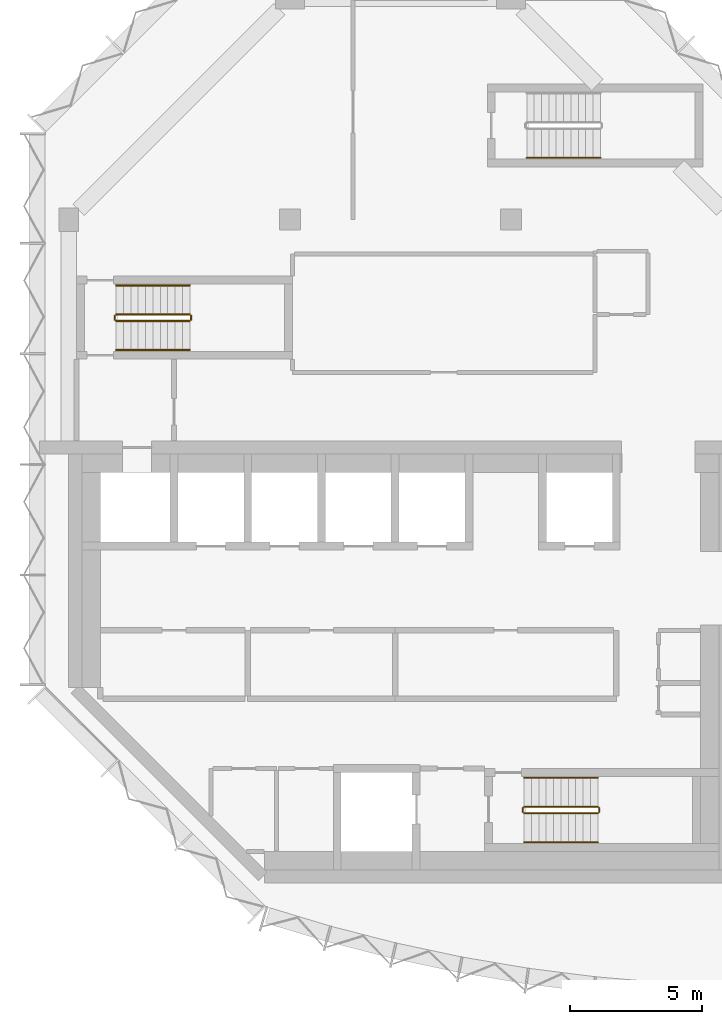
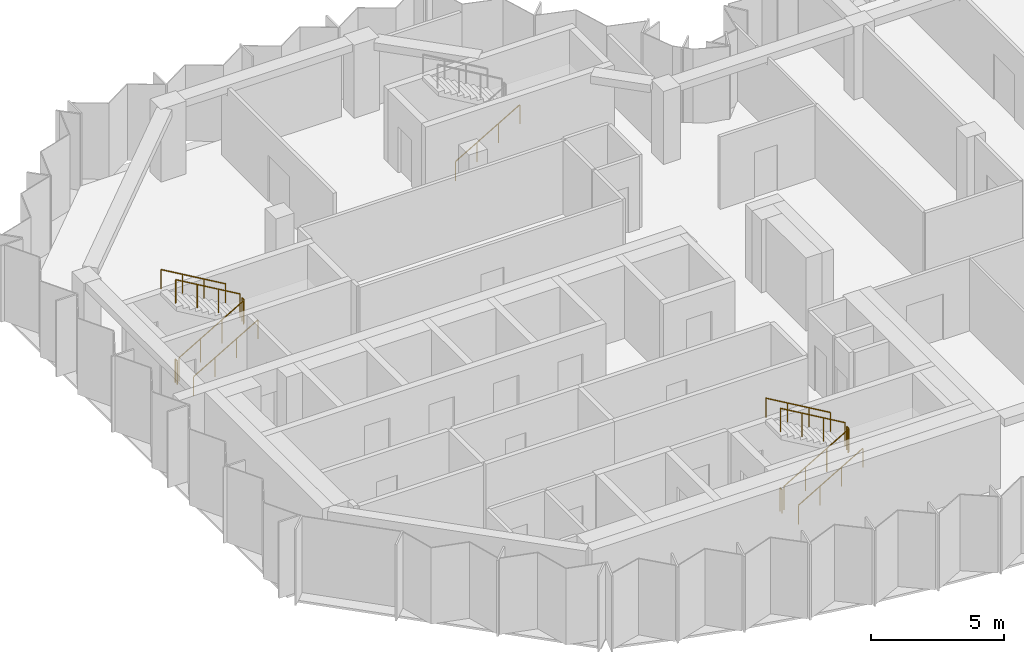
# One storey, part 8 of 9: 13 railings.
"""IFC4 building model written with IfcOpenShell, lengths in metres."""

from ifc_helpers import new_model, si_unit, direction, frame, origin, origin_2d, place, context, subcontext, project, spatial, circle, extrude, material, type_object, element, save


model = new_model("IFC4")

# Units and contexts
model_context = context("Model", 3, precision=1e-05, world=origin(), true_north=direction((0.0, 1.0)))
body_context = subcontext(model_context, "Body", "Model", "MODEL_VIEW")
ifc_project = project(units=[si_unit("LENGTHUNIT", "METRE"), si_unit("AREAUNIT", "SQUARE_METRE"), si_unit("VOLUMEUNIT", "CUBIC_METRE"), si_unit("PLANEANGLEUNIT", "RADIAN"), si_unit("MASSUNIT", "GRAM", prefix="KILO")], contexts=[model_context])

# Site, building, storey
site_placement = place(None, origin())
site = spatial("IfcSite", under=ifc_project, at=site_placement, CompositionType="ELEMENT")
building_placement = place(site_placement, origin())
building = spatial("IfcBuilding", under=site, at=building_placement, Name="Brevane Broadcast Tower", CompositionType="ELEMENT")
storey_placement = place(building_placement, frame((0.0, 0.0, 215.699951171875)))
storey = spatial("IfcBuildingStorey", under=building, at=storey_placement, Name="L54", CompositionType="ELEMENT", Elevation=215.699951171875)

# Railings
ifc_material = material(Name="Steel S355", Category="steel")
railing_type_1 = type_object("IfcRailingType", Name="Exit stair guard", PredefinedType="GUARDRAIL", material=ifc_material)
railing_1_placement = place(storey_placement, frame((1.800048828125, 21.35009765625, 0.16357421875)))
element("IfcRailing", 1, at=railing_1_placement, inside=storey, type_object=railing_type_1, Name="L54 ST-1 stair guard 1", PredefinedType="GUARDRAIL", context=body_context, shape_type="SweptSolid", body=[
    extrude(circle(Radius=0.02392578125, at=origin_2d()), frame((0.0, 0.0, 1.076171875), z_axis=(0.863360870873, 0.0, 0.504586966384), x_axis=(0.0, 1.0, 0.0)), (0.0, 0.0, 1.0), 3.2431640625),
    extrude(circle(Radius=0.02099609375, at=origin_2d()), origin(), (0.0, 0.0, 1.0), 1.052001953125),
    extrude(circle(Radius=0.02099609375, at=origin_2d()), frame((0.933349609375, 0.0, 0.54541015625)), (0.0, 0.0, 1.0), 1.052001953125),
    extrude(circle(Radius=0.02099609375, at=origin_2d()), frame((1.86669921875, 0.0, 1.091064453125)), (0.0, 0.0, 1.0), 1.052001953125),
    extrude(circle(Radius=0.02099609375, at=origin_2d()), frame((2.800048828125, 0.0, 1.636474609375)), (0.0, 0.0, 1.0), 1.052001953125),
])
railing_2_placement = place(storey_placement, frame((4.64990234375, 21.39990234375, 1.800048828125)))
element("IfcRailing", 2, at=railing_2_placement, inside=storey, type_object=railing_type_1, Name="L54 ST-1 stair guard 2", PredefinedType="GUARDRAIL", context=body_context, shape_type="SweptSolid", body=[
    extrude(circle(Radius=0.02392578125, at=origin_2d()), frame((0.0, 0.0, 1.076171875), z_axis=(0.0, 1.0, 0.0), x_axis=(-1.0, 0.0, 0.0)), (0.0, 0.0, 1.0), 0.150146484375),
    extrude(circle(Radius=0.02099609375, at=origin_2d()), origin(), (0.0, 0.0, 1.0), 1.052001953125),
    extrude(circle(Radius=0.02099609375, at=origin_2d()), frame((0.0, 0.150146484375, 0.0)), (0.0, 0.0, 1.0), 1.052001953125),
])
railing_3_placement = place(storey_placement, frame((4.60009765625, 21.60009765625, 1.963623046875)))
element("IfcRailing", 3, at=railing_3_placement, inside=storey, type_object=railing_type_1, Name="L54 ST-1 stair guard 3", PredefinedType="GUARDRAIL", context=body_context, shape_type="SweptSolid", body=[
    extrude(circle(Radius=0.02392578125, at=origin_2d()), frame((0.0, 0.0, 1.076171875), z_axis=(-0.863360870873, 0.0, 0.504586966384), x_axis=(0.0, -1.0, 0.0)), (0.0, 0.0, 1.0), 3.2431640625),
    extrude(circle(Radius=0.02099609375, at=origin_2d()), origin(), (0.0, 0.0, 1.0), 1.052001953125),
    extrude(circle(Radius=0.02099609375, at=origin_2d()), frame((-0.933349609375, 0.0, 0.54541015625)), (0.0, 0.0, 1.0), 1.052001953125),
    extrude(circle(Radius=0.02099609375, at=origin_2d()), frame((-1.86669921875, 0.0, 1.091064453125)), (0.0, 0.0, 1.0), 1.052001953125),
    extrude(circle(Radius=0.02099609375, at=origin_2d()), frame((-2.800048828125, 0.0, 1.636474609375)), (0.0, 0.0, 1.0), 1.052001953125),
])
railing_4_placement = place(storey_placement, frame((1.75, 21.39990234375, 0.0)))
element("IfcRailing", 4, at=railing_4_placement, inside=storey, type_object=railing_type_1, Name="L54 ST-1 stair guard 4", PredefinedType="GUARDRAIL", context=body_context, shape_type="SweptSolid", body=[
    extrude(circle(Radius=0.02392578125, at=origin_2d()), frame((0.0, 0.0, 1.076171875), z_axis=(0.0, 1.0, 0.0), x_axis=(-1.0, 0.0, 0.0)), (0.0, 0.0, 1.0), 0.150146484375),
    extrude(circle(Radius=0.02099609375, at=origin_2d()), origin(), (0.0, 0.0, 1.0), 1.052001953125),
    extrude(circle(Radius=0.02099609375, at=origin_2d()), frame((0.0, 0.150146484375, 0.0)), (0.0, 0.0, 1.0), 1.052001953125),
])
railing_5_placement = place(storey_placement, frame((17.300048828125, 2.64990234375, 0.16357421875)))
element("IfcRailing", 5, at=railing_5_placement, inside=storey, type_object=railing_type_1, Name="L54 ST-2 stair guard 1", PredefinedType="GUARDRAIL", context=body_context, shape_type="SweptSolid", body=[
    extrude(circle(Radius=0.02392578125, at=origin_2d()), frame((0.0, 0.0, 1.076171875), z_axis=(0.863360870873, 0.0, 0.504586966384), x_axis=(0.0, 1.0, 0.0)), (0.0, 0.0, 1.0), 3.2431640625),
    extrude(circle(Radius=0.02099609375, at=origin_2d()), origin(), (0.0, 0.0, 1.0), 1.052001953125),
    extrude(circle(Radius=0.02099609375, at=origin_2d()), frame((0.933349609375, 0.0, 0.54541015625)), (0.0, 0.0, 1.0), 1.052001953125),
    extrude(circle(Radius=0.02099609375, at=origin_2d()), frame((1.86669921875, 0.0, 1.091064453125)), (0.0, 0.0, 1.0), 1.052001953125),
    extrude(circle(Radius=0.02099609375, at=origin_2d()), frame((2.800048828125, 0.0, 1.636474609375)), (0.0, 0.0, 1.0), 1.052001953125),
])
railing_6_placement = place(storey_placement, frame((20.14990234375, 2.699951171875, 1.800048828125)))
element("IfcRailing", 6, at=railing_6_placement, inside=storey, type_object=railing_type_1, Name="L54 ST-2 stair guard 2", PredefinedType="GUARDRAIL", context=body_context, shape_type="SweptSolid", body=[
    extrude(circle(Radius=0.02392578125, at=origin_2d()), frame((0.0, 0.0, 1.076171875), z_axis=(0.0, 1.0, 0.0), x_axis=(-1.0, 0.0, 0.0)), (0.0, 0.0, 1.0), 0.150146484375),
    extrude(circle(Radius=0.02099609375, at=origin_2d()), origin(), (0.0, 0.0, 1.0), 1.052001953125),
    extrude(circle(Radius=0.02099609375, at=origin_2d()), frame((0.0, 0.150146484375, 0.0)), (0.0, 0.0, 1.0), 1.052001953125),
])
railing_7_placement = place(storey_placement, frame((20.10009765625, 2.89990234375, 1.963623046875)))
element("IfcRailing", 7, at=railing_7_placement, inside=storey, type_object=railing_type_1, Name="L54 ST-2 stair guard 3", PredefinedType="GUARDRAIL", context=body_context, shape_type="SweptSolid", body=[
    extrude(circle(Radius=0.02392578125, at=origin_2d()), frame((0.0, 0.0, 1.076171875), z_axis=(-0.863360870873, 0.0, 0.504586966384), x_axis=(0.0, -1.0, 0.0)), (0.0, 0.0, 1.0), 3.2431640625),
    extrude(circle(Radius=0.02099609375, at=origin_2d()), origin(), (0.0, 0.0, 1.0), 1.052001953125),
    extrude(circle(Radius=0.02099609375, at=origin_2d()), frame((-0.933349609375, 0.0, 0.54541015625)), (0.0, 0.0, 1.0), 1.052001953125),
    extrude(circle(Radius=0.02099609375, at=origin_2d()), frame((-1.86669921875, 0.0, 1.091064453125)), (0.0, 0.0, 1.0), 1.052001953125),
    extrude(circle(Radius=0.02099609375, at=origin_2d()), frame((-2.800048828125, 0.0, 1.636474609375)), (0.0, 0.0, 1.0), 1.052001953125),
])
railing_8_placement = place(storey_placement, frame((17.25, 2.699951171875, 0.0)))
element("IfcRailing", 8, at=railing_8_placement, inside=storey, type_object=railing_type_1, Name="L54 ST-2 stair guard 4", PredefinedType="GUARDRAIL", context=body_context, shape_type="SweptSolid", body=[
    extrude(circle(Radius=0.02392578125, at=origin_2d()), frame((0.0, 0.0, 1.076171875), z_axis=(0.0, 1.0, 0.0), x_axis=(-1.0, 0.0, 0.0)), (0.0, 0.0, 1.0), 0.150146484375),
    extrude(circle(Radius=0.02099609375, at=origin_2d()), origin(), (0.0, 0.0, 1.0), 1.052001953125),
    extrude(circle(Radius=0.02099609375, at=origin_2d()), frame((0.0, 0.150146484375, 0.0)), (0.0, 0.0, 1.0), 1.052001953125),
])
railing_type_2 = type_object("IfcRailingType", Name="Exit stair handrail", PredefinedType="HANDRAIL", material=ifc_material)
railing_9_placement = place(storey_placement, frame((1.800048828125, 20.25, 0.16357421875)))
element("IfcRailing", 9, at=railing_9_placement, inside=storey, type_object=railing_type_2, Name="L54 ST-1 stair handrail 1", PredefinedType="HANDRAIL", context=body_context, shape_type="SweptSolid", body=[
    extrude(circle(Radius=0.02392578125, at=origin_2d()), frame((0.0, 0.0, 0.8759765625), z_axis=(0.863360870873, 0.0, 0.504586966384), x_axis=(0.0, 1.0, 0.0)), (0.0, 0.0, 1.0), 3.2431640625),
    extrude(circle(Radius=0.02099609375, at=origin_2d()), origin(), (0.0, 0.0, 1.0), 0.851806640625),
    extrude(circle(Radius=0.02099609375, at=origin_2d()), frame((0.933349609375, 0.0, 0.54541015625)), (0.0, 0.0, 1.0), 0.851806640625),
    extrude(circle(Radius=0.02099609375, at=origin_2d()), frame((1.86669921875, 0.0, 1.091064453125)), (0.0, 0.0, 1.0), 0.851806640625),
    extrude(circle(Radius=0.02099609375, at=origin_2d()), frame((2.800048828125, 0.0, 1.636474609375)), (0.0, 0.0, 1.0), 0.851806640625),
])
railing_10_placement = place(storey_placement, frame((4.60009765625, 22.699951171875, 1.963623046875)))
element("IfcRailing", 10, at=railing_10_placement, inside=storey, type_object=railing_type_2, Name="L54 ST-1 stair handrail 2", PredefinedType="HANDRAIL", context=body_context, shape_type="SweptSolid", body=[
    extrude(circle(Radius=0.02392578125, at=origin_2d()), frame((0.0, 0.0, 0.8759765625), z_axis=(-0.863360870873, 0.0, 0.504586966384), x_axis=(0.0, -1.0, 0.0)), (0.0, 0.0, 1.0), 3.2431640625),
    extrude(circle(Radius=0.02099609375, at=origin_2d()), origin(), (0.0, 0.0, 1.0), 0.851806640625),
    extrude(circle(Radius=0.02099609375, at=origin_2d()), frame((-0.933349609375, 0.0, 0.54541015625)), (0.0, 0.0, 1.0), 0.851806640625),
    extrude(circle(Radius=0.02099609375, at=origin_2d()), frame((-1.86669921875, 0.0, 1.091064453125)), (0.0, 0.0, 1.0), 0.851806640625),
    extrude(circle(Radius=0.02099609375, at=origin_2d()), frame((-2.800048828125, 0.0, 1.636474609375)), (0.0, 0.0, 1.0), 0.851806640625),
])
railing_11_placement = place(storey_placement, frame((17.300048828125, 1.550048828125, 0.16357421875)))
element("IfcRailing", 11, at=railing_11_placement, inside=storey, type_object=railing_type_2, Name="L54 ST-2 stair handrail 1", PredefinedType="HANDRAIL", context=body_context, shape_type="SweptSolid", body=[
    extrude(circle(Radius=0.02392578125, at=origin_2d()), frame((0.0, 0.0, 0.8759765625), z_axis=(0.863360870873, 0.0, 0.504586966384), x_axis=(0.0, 1.0, 0.0)), (0.0, 0.0, 1.0), 3.2431640625),
    extrude(circle(Radius=0.02099609375, at=origin_2d()), origin(), (0.0, 0.0, 1.0), 0.851806640625),
    extrude(circle(Radius=0.02099609375, at=origin_2d()), frame((0.933349609375, 0.0, 0.54541015625)), (0.0, 0.0, 1.0), 0.851806640625),
    extrude(circle(Radius=0.02099609375, at=origin_2d()), frame((1.86669921875, 0.0, 1.091064453125)), (0.0, 0.0, 1.0), 0.851806640625),
    extrude(circle(Radius=0.02099609375, at=origin_2d()), frame((2.800048828125, 0.0, 1.636474609375)), (0.0, 0.0, 1.0), 0.851806640625),
])
railing_12_placement = place(storey_placement, frame((20.10009765625, 4.0, 1.963623046875)))
element("IfcRailing", 12, at=railing_12_placement, inside=storey, type_object=railing_type_2, Name="L54 ST-2 stair handrail 2", PredefinedType="HANDRAIL", context=body_context, shape_type="SweptSolid", body=[
    extrude(circle(Radius=0.02392578125, at=origin_2d()), frame((0.0, 0.0, 0.8759765625), z_axis=(-0.863360870873, 0.0, 0.504586966384), x_axis=(0.0, -1.0, 0.0)), (0.0, 0.0, 1.0), 3.2431640625),
    extrude(circle(Radius=0.02099609375, at=origin_2d()), origin(), (0.0, 0.0, 1.0), 0.851806640625),
    extrude(circle(Radius=0.02099609375, at=origin_2d()), frame((-0.933349609375, 0.0, 0.54541015625)), (0.0, 0.0, 1.0), 0.851806640625),
    extrude(circle(Radius=0.02099609375, at=origin_2d()), frame((-1.86669921875, 0.0, 1.091064453125)), (0.0, 0.0, 1.0), 0.851806640625),
    extrude(circle(Radius=0.02099609375, at=origin_2d()), frame((-2.800048828125, 0.0, 1.636474609375)), (0.0, 0.0, 1.0), 0.851806640625),
])
railing_13_placement = place(storey_placement, frame((17.39990234375, 27.550048828125, 0.16357421875)))
element("IfcRailing", 13, at=railing_13_placement, inside=storey, type_object=railing_type_2, Name="L54 ST-3 stair handrail 1", PredefinedType="HANDRAIL", context=body_context, shape_type="SweptSolid", body=[
    extrude(circle(Radius=0.02392578125, at=origin_2d()), frame((0.0, 0.0, 0.8759765625), z_axis=(0.863360870873, 0.0, 0.504586966384), x_axis=(0.0, 1.0, 0.0)), (0.0, 0.0, 1.0), 3.2431640625),
    extrude(circle(Radius=0.02099609375, at=origin_2d()), origin(), (0.0, 0.0, 1.0), 0.851806640625),
    extrude(circle(Radius=0.02099609375, at=origin_2d()), frame((0.933349609375, 0.0, 0.54541015625)), (0.0, 0.0, 1.0), 0.851806640625),
    extrude(circle(Radius=0.02099609375, at=origin_2d()), frame((1.86669921875, 0.0, 1.091064453125)), (0.0, 0.0, 1.0), 0.851806640625),
    extrude(circle(Radius=0.02099609375, at=origin_2d()), frame((2.800048828125, 0.0, 1.636474609375)), (0.0, 0.0, 1.0), 0.851806640625),
])

save(model, "model.ifc")
